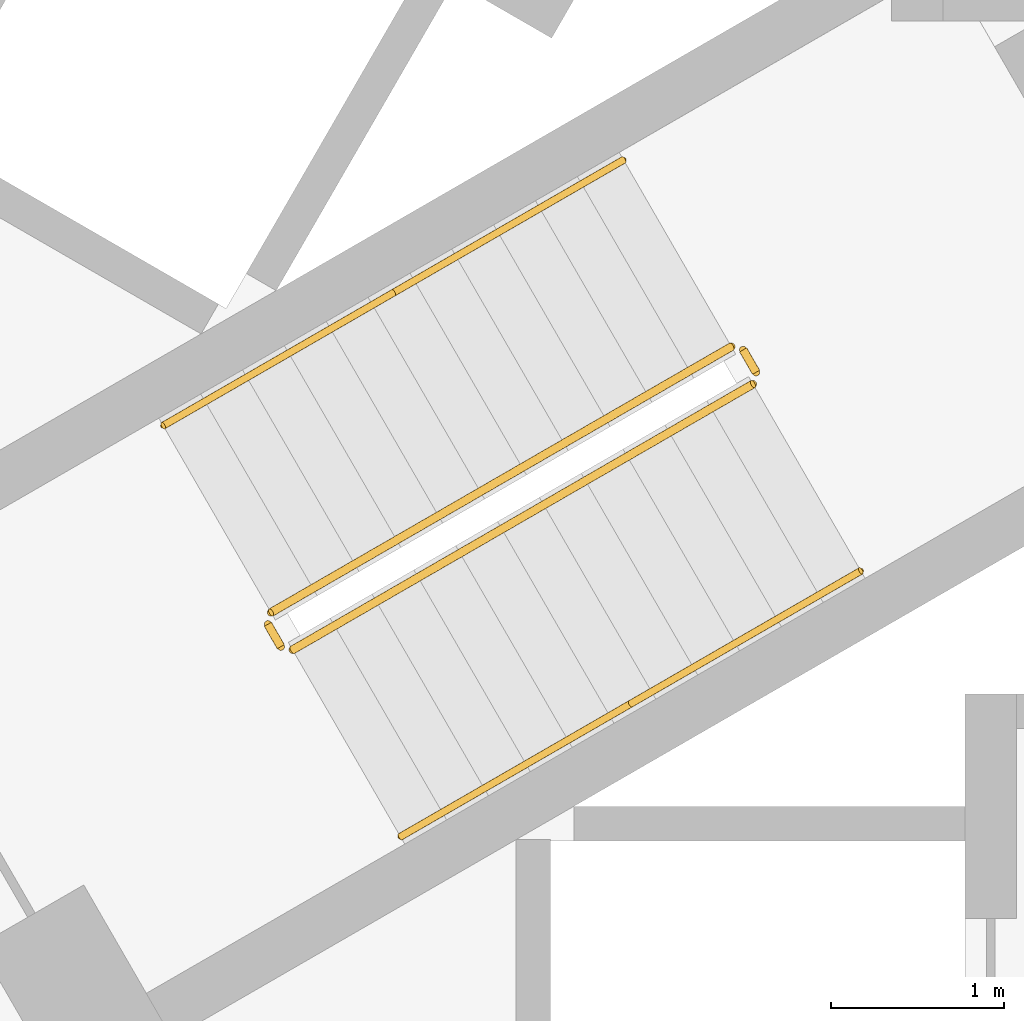
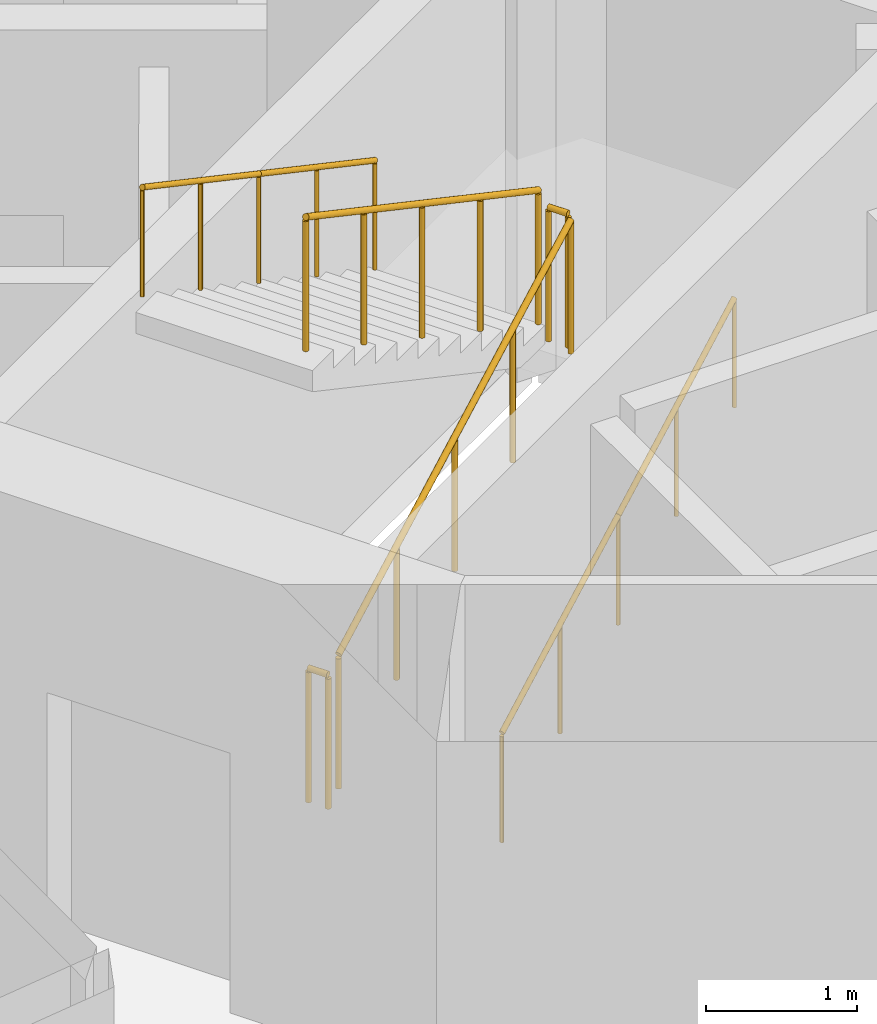
# One storey, part 10 of 14: 8 railings.
"""IFC4 building model written with IfcOpenShell, lengths in metres."""

import ifcopenshell
import ifcopenshell.guid

model = None  # the IFC model being written
_history = None  # IfcOwnerHistory: only IFC2X3 demands one
_inside = {}  # id of a spatial element -> (the spatial element, [elements in it])
_under = {}  # id of a project, library or spatial element -> (it, [spatial elements below it])
_declared = {}  # id of a project -> (the project, [libraries it declares])
_typed = {}  # id of a type object -> (the type object, [elements of that type])
_made_of = {}  # id of a material, layer set ... -> (it, [elements and type objects made of it])


def new_model(schema):
    """Start an empty IFC model of exactly this schema.

    Asked for "IFC4X3", IfcOpenShell would pick the latest addendum, in which some entities
    have other attributes; the version numbers below select the first issue.
    IFC2X3 requires an IfcOwnerHistory on every rooted entity: one is made here for all.
    """
    global model, _history
    if schema == "IFC4X3":
        model = ifcopenshell.file(schema_version=(4, 3, 0, 0))
    else:
        model = ifcopenshell.file(schema=schema)
    _inside.clear()
    _under.clear()
    _declared.clear()
    _typed.clear()
    _made_of.clear()
    _history = None
    if model.schema == "IFC2X3":
        org = make("IfcOrganization", Name="unknown")
        user = make(
            "IfcPersonAndOrganization",
            ThePerson=make("IfcPerson", FamilyName="unknown"),
            TheOrganization=org,
        )
        app = make(
            "IfcApplication",
            ApplicationDeveloper=org,
            Version="unknown",
            ApplicationFullName="unknown",
            ApplicationIdentifier="unknown",
        )
        _history = make(
            "IfcOwnerHistory",
            OwningUser=user,
            OwningApplication=app,
            ChangeAction="ADDED",
            CreationDate=0,
        )
    return model


def make(cls, **values):
    """One entity of the class cls with the attributes given. An attribute that is None is left unset."""
    return model.create_entity(
        cls, **{name: value for name, value in values.items() if value is not None}
    )


def rooted(cls, **values):
    """An entity with a GlobalId (a new one), such as an element, a storey or a relation."""
    return make(cls, GlobalId=ifcopenshell.guid.new(), OwnerHistory=_history, **values)


def si_unit(unit_type, name, prefix=None):
    """IfcSIUnit, for example si_unit("LENGTHUNIT", "METRE", prefix="MILLI")."""
    return make("IfcSIUnit", UnitType=unit_type, Prefix=prefix, Name=name)


def assignment(units):
    """IfcUnitAssignment: the units of a project."""
    return None if units is None else make("IfcUnitAssignment", Units=units)


def point(xyz):
    """IfcCartesianPoint."""
    return None if xyz is None else make("IfcCartesianPoint", Coordinates=xyz)


def direction(xyz):
    """IfcDirection."""
    return None if xyz is None else make("IfcDirection", DirectionRatios=xyz)


def frame(location, z_axis=None, x_axis=None):
    """IfcAxis2Placement3D, a coordinate frame: its origin and axes. An axis left out is left unset."""
    return make(
        "IfcAxis2Placement3D",
        Location=point(location),
        Axis=direction(z_axis),
        RefDirection=direction(x_axis),
    )


def frame_2d(location, x_axis=None):
    """IfcAxis2Placement2D, a coordinate frame in the plane: its origin and x axis."""
    return make(
        "IfcAxis2Placement2D", Location=point(location), RefDirection=direction(x_axis)
    )


def origin():
    """The frame at (0, 0, 0) with its axes left unset."""
    return frame((0.0, 0.0, 0.0))


def origin_2d():
    """The frame at (0, 0) in the plane with its x axis left unset."""
    return frame_2d((0.0, 0.0))


def place(relative_to, where):
    """IfcLocalPlacement: puts the frame where relative to a parent placement (None: the world)."""
    return make(
        "IfcLocalPlacement", PlacementRelTo=relative_to, RelativePlacement=where
    )


def context(
    kind, dimensions, precision=None, world=None, true_north=None, identifier=None
):
    """IfcGeometricRepresentationContext, for example the 3D "Model" context."""
    return make(
        "IfcGeometricRepresentationContext",
        ContextIdentifier=identifier,
        ContextType=kind,
        CoordinateSpaceDimension=dimensions,
        Precision=precision,
        WorldCoordinateSystem=world,
        TrueNorth=true_north,
    )


def subcontext(parent, identifier, kind, view, scale=None):
    """IfcGeometricRepresentationSubContext, for example "Body" below "Model"."""
    return make(
        "IfcGeometricRepresentationSubContext",
        ContextIdentifier=identifier,
        ContextType=kind,
        ParentContext=parent,
        TargetScale=scale,
        TargetView=view,
    )


def project(units=None, contexts=None):
    """IfcProject with its units and contexts."""
    return rooted(
        "IfcProject",
        Name="project",
        RepresentationContexts=contexts,
        UnitsInContext=assignment(units),
    )


def spatial(cls, under=None, at=None, **own):
    """A site, building, storey or space (cls), placed at a placement, below another one or the project."""
    s = rooted(cls, ObjectPlacement=at, **own)
    if under is not None:
        _under.setdefault(under.id(), (under, []))[1].append(s)
    return s


def profile(cls, at=None, kind="AREA", **sizes):
    """A parametric profile (cls). Its sizes go by their IFC names, for example OverallWidth=200.0."""
    return make(cls, ProfileType=kind, Position=at, **sizes)


def circle(**sizes):
    """IfcCircleProfileDef."""
    return profile("IfcCircleProfileDef", **sizes)


def extrude(swept, where, along, depth):
    """IfcExtrudedAreaSolid: the profile swept, set in the frame where, extruded along a direction by depth."""
    return make(
        "IfcExtrudedAreaSolid",
        SweptArea=swept,
        Position=where,
        ExtrudedDirection=direction(along),
        Depth=depth,
    )


def shape(context_of_items, identifier, shape_type, items):
    """IfcShapeRepresentation: the items that make up one representation, for example the "Body"."""
    return make(
        "IfcShapeRepresentation",
        ContextOfItems=context_of_items,
        RepresentationIdentifier=identifier,
        RepresentationType=shape_type,
        Items=items,
    )


def material(Name=None, Category=None):
    """IfcMaterial."""
    return make("IfcMaterial", Name=Name, Category=Category)


def made_of(thing, what):
    """Note that an element or type object is made of a material, layer set ...; save() writes the relation."""
    if what is not None:
        _made_of.setdefault(what.id(), (what, []))[1].append(thing)
    return thing


def type_object(cls, material=None, **own):
    """A type object (cls), such as IfcWallType, which elements share."""
    return made_of(rooted(cls, **own), material)


def element(
    cls,
    number,
    at=None,
    inside=None,
    cuts=None,
    type_object=None,
    material=None,
    context=None,
    identifier="Body",
    shape_type=None,
    held_by="IfcProductDefinitionShape",
    body=None,
    shapes=None,
    **own,
):
    """One element of the class cls, such as IfcWall. Its Tag is "e" and its number.

    at: its placement. inside: the storey or other place that contains it. cuts: it is an
    opening in that element (IfcRelVoidsElement). A single representation is given by context,
    identifier, shape_type and body (its items); several are given by shapes. held_by: the class
    of the entity that holds the representations. save() writes the other relations.
    """
    e = rooted(cls, Tag="e%d" % number, ObjectPlacement=at, **own)
    if body is not None:
        shapes = [shape(context, identifier, shape_type, body)]
    if shapes is not None:
        e.Representation = make(held_by, Representations=shapes)
    if inside is not None:
        _inside.setdefault(inside.id(), (inside, []))[1].append(e)
    if cuts is not None:
        rooted(
            "IfcRelVoidsElement", RelatingBuildingElement=cuts, RelatedOpeningElement=e
        )
    if type_object is not None:
        _typed.setdefault(type_object.id(), (type_object, []))[1].append(e)
    return made_of(e, material)


def aggregate(whole, parts):
    """IfcRelAggregates: a whole, such as a stair, and the parts it consists of."""
    return rooted("IfcRelAggregates", RelatingObject=whole, RelatedObjects=parts)


def save(model, path):
    """Write the relations noted so far, then the file.

    IfcRelAggregates (storeys below a building ...), IfcRelContainedInSpatialStructure (elements
    in a storey), IfcRelDefinesByType, IfcRelAssociatesMaterial and IfcRelDeclares: one each for
    every whole, place, type object, material and project.
    """
    for whole, parts in _under.values():
        aggregate(whole, parts)
    for where, things in _inside.values():
        rooted(
            "IfcRelContainedInSpatialStructure",
            RelatedElements=things,
            RelatingStructure=where,
        )
    for kind, things in _typed.values():
        rooted("IfcRelDefinesByType", RelatedObjects=things, RelatingType=kind)
    for what, things in _made_of.values():
        rooted("IfcRelAssociatesMaterial", RelatedObjects=things, RelatingMaterial=what)
    for by, libraries in _declared.values():
        rooted("IfcRelDeclares", RelatingContext=by, RelatedDefinitions=libraries)
    model.write(path)


model = new_model("IFC4")

# Units and contexts
model_context = context("Model", 3, precision=1e-05, world=origin(), true_north=direction((0.0, 1.0)))
body_context = subcontext(model_context, "Body", "Model", "MODEL_VIEW")
ifc_project = project(units=[si_unit("LENGTHUNIT", "METRE"), si_unit("AREAUNIT", "SQUARE_METRE"), si_unit("VOLUMEUNIT", "CUBIC_METRE"), si_unit("PLANEANGLEUNIT", "RADIAN"), si_unit("MASSUNIT", "GRAM", prefix="KILO")], contexts=[model_context])

# Site, building, storey
site_placement = place(None, origin())
site = spatial("IfcSite", under=ifc_project, at=site_placement, CompositionType="ELEMENT")
building_placement = place(site_placement, origin())
building = spatial("IfcBuilding", under=site, at=building_placement, Name="Trine Commons Tower", CompositionType="ELEMENT")
storey_placement = place(building_placement, frame((0.0, 0.0, 242.10009765625)))
storey = spatial("IfcBuildingStorey", under=building, at=storey_placement, Name="L63", CompositionType="ELEMENT", Elevation=242.10009765625)

# Railings
ifc_material_1 = material(Name="Stainless steel balustrade", Category="steel")
railing_type_1 = type_object("IfcRailingType", Name="Stair guard, steel balustrade 1100", PredefinedType="GUARDRAIL", material=ifc_material_1)
railing_1_placement = place(storey_placement, frame((74.80517578125, 59.3564453125, 0.14990234375)))
element("IfcRailing", 1, at=railing_1_placement, inside=storey, type_object=railing_type_1, Name="L63 ST2C stair guard 1", PredefinedType="GUARDRAIL", context=body_context, shape_type="SweptSolid", body=[
    extrude(circle(Radius=0.02392578125, at=origin_2d()), frame((0.0, 0.0, 1.076171875), z_axis=(0.76340495495, 0.440743040072, 0.472184759798), x_axis=(-0.499992328818, 0.866029832698, 0.0)), (0.0, 0.0, 1.0), 3.494140625),
    extrude(circle(Radius=0.02099609375, at=origin_2d()), origin(), (0.0, 0.0, 1.0), 1.052001953125),
    extrude(circle(Radius=0.02099609375, at=origin_2d()), frame((0.6669921875, 0.385009765625, 0.41259765625)), (0.0, 0.0, 1.0), 1.052001953125),
    extrude(circle(Radius=0.02099609375, at=origin_2d()), frame((1.333740234375, 0.77001953125, 0.824951171875)), (0.0, 0.0, 1.0), 1.052001953125),
    extrude(circle(Radius=0.02099609375, at=origin_2d()), frame((2.00048828125, 1.155029296875, 1.2373046875)), (0.0, 0.0, 1.0), 1.052001953125),
    extrude(circle(Radius=0.02099609375, at=origin_2d()), frame((2.66748046875, 1.5400390625, 1.64990234375)), (0.0, 0.0, 1.0), 1.052001953125),
])
railing_2_placement = place(storey_placement, frame((77.490966796875, 60.96484375, 1.7998046875)))
element("IfcRailing", 2, at=railing_2_placement, inside=storey, type_object=railing_type_1, Name="L63 ST2C stair guard 2", PredefinedType="GUARDRAIL", context=body_context, shape_type="SweptSolid", body=[
    extrude(circle(Radius=0.02392578125, at=origin_2d()), frame((0.0, 0.0, 1.076171875), z_axis=(-0.501036270542, 0.865426285481, 0.0), x_axis=(-0.865426285481, -0.501036270542, 0.0)), (0.0, 0.0, 1.0), 0.150146484375),
    extrude(circle(Radius=0.02099609375, at=origin_2d()), origin(), (0.0, 0.0, 1.0), 1.052001953125),
    extrude(circle(Radius=0.02099609375, at=origin_2d()), frame((-0.0751953125, 0.1298828125, 0.0)), (0.0, 0.0, 1.0), 1.052001953125),
])
railing_3_placement = place(storey_placement, frame((77.34765625, 61.113037109375, 1.949951171875)))
element("IfcRailing", 3, at=railing_3_placement, inside=storey, type_object=railing_type_1, Name="L63 ST2C stair guard 3", PredefinedType="GUARDRAIL", context=body_context, shape_type="SweptSolid", body=[
    extrude(circle(Radius=0.02392578125, at=origin_2d()), frame((0.0, 0.0, 1.076171875), z_axis=(-0.76340495495, -0.440743040072, 0.472184759798), x_axis=(0.499992328818, -0.866029832698, 0.0)), (0.0, 0.0, 1.0), 3.494140625),
    extrude(circle(Radius=0.02099609375, at=origin_2d()), origin(), (0.0, 0.0, 1.0), 1.052001953125),
    extrude(circle(Radius=0.02099609375, at=origin_2d()), frame((-0.6669921875, -0.385009765625, 0.41259765625)), (0.0, 0.0, 1.0), 1.052001953125),
    extrude(circle(Radius=0.02099609375, at=origin_2d()), frame((-1.333740234375, -0.77001953125, 0.824951171875)), (0.0, 0.0, 1.0), 1.052001953125),
    extrude(circle(Radius=0.02099609375, at=origin_2d()), frame((-2.00048828125, -1.155029296875, 1.2373046875)), (0.0, 0.0, 1.0), 1.052001953125),
    extrude(circle(Radius=0.02099609375, at=origin_2d()), frame((-2.66748046875, -1.5400390625, 1.64990234375)), (0.0, 0.0, 1.0), 1.052001953125),
])
railing_4_placement = place(storey_placement, frame((74.73681640625, 59.374755859375, 0.0)))
element("IfcRailing", 4, at=railing_4_placement, inside=storey, type_object=railing_type_1, Name="L63 ST2C stair guard 4", PredefinedType="GUARDRAIL", context=body_context, shape_type="SweptSolid", body=[
    extrude(circle(Radius=0.02392578125, at=origin_2d()), frame((0.0, 0.0, 1.076171875), z_axis=(-0.499816412211, 0.866131372301, 0.0), x_axis=(-0.866131372301, -0.499816412211, 0.0)), (0.0, 0.0, 1.0), 0.14990234375),
    extrude(circle(Radius=0.02099609375, at=origin_2d()), origin(), (0.0, 0.0, 1.0), 1.052001953125),
    extrude(circle(Radius=0.02099609375, at=origin_2d()), frame((-0.074951171875, 0.1298828125, 0.0)), (0.0, 0.0, 1.0), 1.052001953125),
])
ifc_material_2 = material(Name="Stainless steel handrail", Category="steel")
railing_type_2 = type_object("IfcRailingType", Name="Stair handrail, steel 900", PredefinedType="HANDRAIL", material=ifc_material_2)
for number, where, name in (
    (5, (75.43017578125, 58.27392578125, 0.14990234375), "L63 ST2C stair handrail 1"),
    (6, (76.763916015625, 59.0439453125, 0.974853515625), "L63 ST2C stair handrail 2"),
):
    element("IfcRailing", number, at=place(storey_placement, frame(where)), inside=storey, type_object=railing_type_2, Name=name, PredefinedType="HANDRAIL", context=body_context, shape_type="SweptSolid", body=[
        extrude(circle(Radius=0.02099609375, at=origin_2d()), frame((0.0, 0.0, 0.87890625), z_axis=(0.76340495495, 0.440743040072, 0.472184759798), x_axis=(-0.499992328818, 0.866029832698, 0.0)), (0.0, 0.0, 1.0), 1.7470703125),
        extrude(circle(Radius=0.01513671875, at=origin_2d()), origin(), (0.0, 0.0, 1.0), 0.85791015625),
        extrude(circle(Radius=0.01513671875, at=origin_2d()), frame((0.6669921875, 0.385009765625, 0.41259765625)), (0.0, 0.0, 1.0), 0.85791015625),
        extrude(circle(Radius=0.01513671875, at=origin_2d()), frame((1.333740234375, 0.77001953125, 0.824951171875)), (0.0, 0.0, 1.0), 0.85791015625),
    ])
for number, where, name in (
    (7, (76.72265625, 62.195556640625, 1.949951171875), "L63 ST2C stair handrail 3"),
    (8, (75.388916015625, 61.425537109375, 2.77490234375), "L63 ST2C stair handrail 4"),
):
    element("IfcRailing", number, at=place(storey_placement, frame(where)), inside=storey, type_object=railing_type_2, Name=name, PredefinedType="HANDRAIL", context=body_context, shape_type="SweptSolid", body=[
        extrude(circle(Radius=0.02099609375, at=origin_2d()), frame((0.0, 0.0, 0.87890625), z_axis=(-0.76340495495, -0.440743040072, 0.472184759798), x_axis=(0.499992328818, -0.866029832698, 0.0)), (0.0, 0.0, 1.0), 1.7470703125),
        extrude(circle(Radius=0.01513671875, at=origin_2d()), origin(), (0.0, 0.0, 1.0), 0.85791015625),
        extrude(circle(Radius=0.01513671875, at=origin_2d()), frame((-0.6669921875, -0.385009765625, 0.41259765625)), (0.0, 0.0, 1.0), 0.85791015625),
        extrude(circle(Radius=0.01513671875, at=origin_2d()), frame((-1.333740234375, -0.77001953125, 0.824951171875)), (0.0, 0.0, 1.0), 0.85791015625),
    ])

save(model, "model.ifc")
